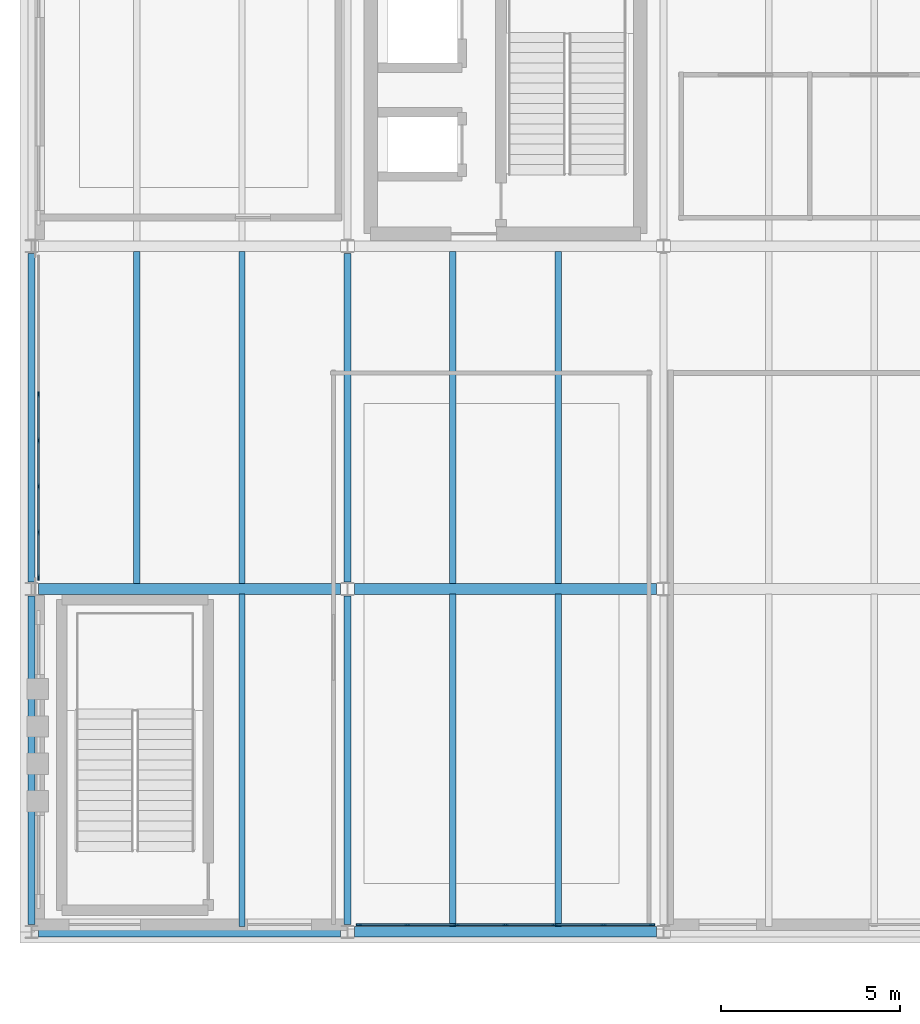
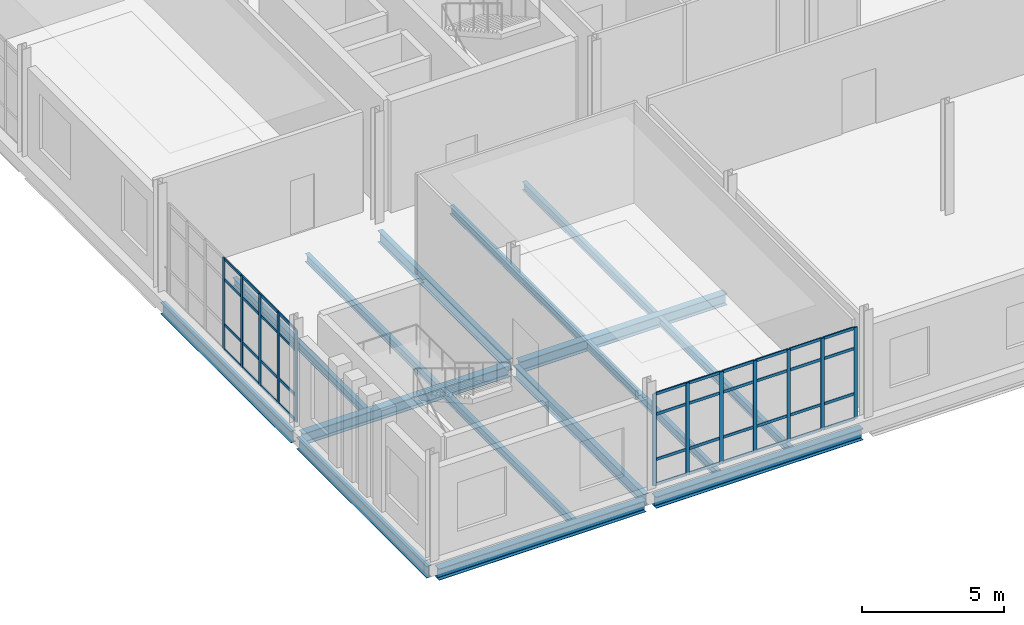
# One storey, part 19 of 112: 52 members, 15 beams, 2 elements without a shape of their own.
"""IFC4 building model written with IfcOpenShell, lengths in metres."""

from ifc_helpers import new_model, si_unit, direction, frame, origin, origin_2d, place, context, subcontext, project, spatial, rectangle, i_section, extrude, material, layer, layer_set, material_profile, profile_set, type_object, element, aggregate, save


model = new_model("IFC4")

# Units and contexts
model_context = context("Model", 3, precision=1e-05, world=origin(), true_north=direction((0.0, 1.0)))
body_context = subcontext(model_context, "Body", "Model", "MODEL_VIEW")
ifc_project = project(units=[si_unit("LENGTHUNIT", "METRE"), si_unit("AREAUNIT", "SQUARE_METRE"), si_unit("VOLUMEUNIT", "CUBIC_METRE"), si_unit("PLANEANGLEUNIT", "RADIAN"), si_unit("MASSUNIT", "GRAM", prefix="KILO")], contexts=[model_context])

# Site, building, storey
site_placement = place(None, origin())
site = spatial("IfcSite", under=ifc_project, at=site_placement, CompositionType="ELEMENT")
building_placement = place(site_placement, origin())
building = spatial("IfcBuilding", under=site, at=building_placement, Name="Yeouljin Market Hall", CompositionType="ELEMENT")
storey_placement = place(building_placement, frame((0.0, 0.0, 6.0)))
storey = spatial("IfcBuildingStorey", under=building, at=storey_placement, Name="L01", CompositionType="ELEMENT", Elevation=6.0)

# Beams
ifc_material_1 = material(Name="Steel SM355", Category="steel")
ifc_material_profile_1 = material_profile(ifc_material_1, i_section(OverallWidth=0.199951171875, OverallDepth=0.5, WebThickness=0.010009765625, FlangeThickness=0.01611328125, FilletRadius=0.02001953125, at=origin_2d()), Name="H-500x200x10x16")
ifc_profile_set_1 = profile_set([ifc_material_profile_1], Name="Steel SM355")
beam_type_1 = type_object("IfcBeamType", Name="Beam_H-500x200x10x16", PredefinedType="BEAM", material=ifc_profile_set_1)
for number, where, z_axis, x_axis, name in (
    (1, (0.0, 0.199951171875, -0.514892578125), (0.0, 1.0, 0.0), (-1.0, 0.0, 0.0), "Primary beam BM-L01-Y124"),
    (2, (0.0, 9.800048828125, -0.514892578125), (0.0, 1.0, 0.0), (-1.0, 0.0, 0.0), "Primary beam BM-L01-Y125"),
    (3, (8.85009765625, 0.199951171875, -0.514892578125), (0.0, 1.0, 0.0), (-1.0, 0.0, 0.0), "Primary beam BM-L01-Y128"),
    (4, (8.85009765625, 9.800048828125, -0.514892578125), (0.0, 1.0, 0.0), (-1.0, 0.0, 0.0), "Primary beam BM-L01-Y129"),
):
    element("IfcBeam", number, at=place(storey_placement, frame(where, z_axis=z_axis, x_axis=x_axis)), inside=storey, type_object=beam_type_1, Name=name, PredefinedType="BEAM", context=body_context, shape_type="SweptSolid", body=[
        extrude(i_section(OverallWidth=0.199951171875, OverallDepth=0.5, WebThickness=0.010009765625, FlangeThickness=0.01611328125, FilletRadius=0.02001953125, at=origin_2d()), origin(), (0.0, 0.0, 1.0), 9.199951171875),
    ])

# Curtain wall, members
ifc_material_2 = material(Name="Thermally Broken Aluminium", Category="aluminium")
ifc_layer = layer(ifc_material_2, 0.14990234375)
ifc_layer_set = layer_set([ifc_layer], Name="Thermally Broken Aluminium")
curtain_wall_type = type_object("IfcCurtainWallType", Name="CW_AcademyRibbon_System", PredefinedType="USERDEFINED", material=ifc_layer_set)
curtain_wall_1_placement = place(storey_placement, origin())
curtain_wall_1 = element("IfcCurtainWall", 5, at=curtain_wall_1_placement, inside=storey, type_object=curtain_wall_type, Name="Curtain wall CW-L01-W03", ObjectType="CURTAIN WALL", PredefinedType="USERDEFINED")
ifc_material_3 = material(Name="Thermally Broken Aluminium", Category="aluminium")
ifc_material_profile_2 = material_profile(ifc_material_3, rectangle(XDim=0.048095703125, YDim=0.14990234375, at=origin_2d()), Name="CW-MULL-48x150")
ifc_profile_set_2 = profile_set([ifc_material_profile_2], Name="Thermally Broken Aluminium")
member_type_1 = type_object("IfcMemberType", Name="CWMullion_48x150", PredefinedType="MULLION", material=ifc_profile_set_2)
member_1_placement = place(storey_placement, frame((17.3759765625, 0.199951171875, 0.0), z_axis=(0.0, 0.0, 1.0), x_axis=(0.0, -1.0, 0.0)))
member_1 = element("IfcMember", 6, at=member_1_placement, type_object=member_type_1, Name="CW-05 mullion 1", PredefinedType="MULLION", context=body_context, shape_type="SweptSolid", body=[
    extrude(rectangle(XDim=0.048095703125, YDim=0.14990234375, at=origin_2d()), origin(), (0.0, 0.0, 1.0), 3.949951171875),
])
member_2_placement = place(storey_placement, frame((16.02490234375, 0.199951171875, 0.0), z_axis=(0.0, 0.0, 1.0), x_axis=(0.0, -1.0, 0.0)))
member_2 = element("IfcMember", 7, at=member_2_placement, type_object=member_type_1, Name="CW-05 mullion 2", PredefinedType="MULLION", context=body_context, shape_type="SweptSolid", body=[
    extrude(rectangle(XDim=0.048095703125, YDim=0.14990234375, at=origin_2d()), origin(), (0.0, 0.0, 1.0), 3.949951171875),
])
member_3_placement = place(storey_placement, frame((14.64990234375, 0.199951171875, 0.0), z_axis=(0.0, 0.0, 1.0), x_axis=(0.0, -1.0, 0.0)))
member_3 = element("IfcMember", 8, at=member_3_placement, type_object=member_type_1, Name="CW-05 mullion 3", PredefinedType="MULLION", context=body_context, shape_type="SweptSolid", body=[
    extrude(rectangle(XDim=0.048095703125, YDim=0.14990234375, at=origin_2d()), origin(), (0.0, 0.0, 1.0), 3.949951171875),
])
member_4_placement = place(storey_placement, frame((13.27490234375, 0.199951171875, 0.0), z_axis=(0.0, 0.0, 1.0), x_axis=(0.0, -1.0, 0.0)))
member_4 = element("IfcMember", 9, at=member_4_placement, type_object=member_type_1, Name="CW-05 mullion 4", PredefinedType="MULLION", context=body_context, shape_type="SweptSolid", body=[
    extrude(rectangle(XDim=0.048095703125, YDim=0.14990234375, at=origin_2d()), origin(), (0.0, 0.0, 1.0), 3.949951171875),
])
member_5_placement = place(storey_placement, frame((11.89990234375, 0.199951171875, 0.0), z_axis=(0.0, 0.0, 1.0), x_axis=(0.0, -1.0, 0.0)))
member_5 = element("IfcMember", 10, at=member_5_placement, type_object=member_type_1, Name="CW-05 mullion 5", PredefinedType="MULLION", context=body_context, shape_type="SweptSolid", body=[
    extrude(rectangle(XDim=0.048095703125, YDim=0.14990234375, at=origin_2d()), origin(), (0.0, 0.0, 1.0), 3.949951171875),
])
member_6_placement = place(storey_placement, frame((10.52490234375, 0.199951171875, 0.0), z_axis=(0.0, 0.0, 1.0), x_axis=(0.0, -1.0, 0.0)))
member_6 = element("IfcMember", 11, at=member_6_placement, type_object=member_type_1, Name="CW-05 mullion 6", PredefinedType="MULLION", context=body_context, shape_type="SweptSolid", body=[
    extrude(rectangle(XDim=0.048095703125, YDim=0.14990234375, at=origin_2d()), origin(), (0.0, 0.0, 1.0), 3.949951171875),
])
member_7_placement = place(storey_placement, frame((9.174072265625, 0.199951171875, 0.0), z_axis=(0.0, 0.0, 1.0), x_axis=(0.0, -1.0, 0.0)))
member_7 = element("IfcMember", 12, at=member_7_placement, type_object=member_type_1, Name="CW-05 mullion 7", PredefinedType="MULLION", context=body_context, shape_type="SweptSolid", body=[
    extrude(rectangle(XDim=0.048095703125, YDim=0.14990234375, at=origin_2d()), origin(), (0.0, 0.0, 1.0), 3.949951171875),
])

curtain_wall_2_placement = place(storey_placement, origin())
curtain_wall_2 = element("IfcCurtainWall", 13, at=curtain_wall_2_placement, inside=storey, type_object=curtain_wall_type, Name="Curtain wall CW-L01-W06", ObjectType="CURTAIN WALL", PredefinedType="USERDEFINED")
member_8_placement = place(storey_placement, frame((0.199951171875, 9.924072265625, 0.0), z_axis=(0.0, 0.0, 1.0), x_axis=(-1.0, 0.0, 0.0)))
member_8 = element("IfcMember", 14, at=member_8_placement, type_object=member_type_1, Name="CW-05 mullion 1", PredefinedType="MULLION", context=body_context, shape_type="SweptSolid", body=[
    extrude(rectangle(XDim=0.048095703125, YDim=0.14990234375, at=origin_2d()), origin(), (0.0, 0.0, 1.0), 3.949951171875),
])
member_9_placement = place(storey_placement, frame((0.199951171875, 11.185791015625, 0.0), z_axis=(0.0, 0.0, 1.0), x_axis=(-1.0, 0.0, 0.0)))
member_9 = element("IfcMember", 15, at=member_9_placement, type_object=member_type_1, Name="CW-05 mullion 2", PredefinedType="MULLION", context=body_context, shape_type="SweptSolid", body=[
    extrude(rectangle(XDim=0.048095703125, YDim=0.14990234375, at=origin_2d()), origin(), (0.0, 0.0, 1.0), 3.949951171875),
])
member_10_placement = place(storey_placement, frame((0.199951171875, 12.471435546875, 0.0), z_axis=(0.0, 0.0, 1.0), x_axis=(-1.0, 0.0, 0.0)))
member_10 = element("IfcMember", 16, at=member_10_placement, type_object=member_type_1, Name="CW-05 mullion 3", PredefinedType="MULLION", context=body_context, shape_type="SweptSolid", body=[
    extrude(rectangle(XDim=0.048095703125, YDim=0.14990234375, at=origin_2d()), origin(), (0.0, 0.0, 1.0), 3.949951171875),
])
member_11_placement = place(storey_placement, frame((0.199951171875, 13.757080078125, 0.0), z_axis=(0.0, 0.0, 1.0), x_axis=(-1.0, 0.0, 0.0)))
member_11 = element("IfcMember", 17, at=member_11_placement, type_object=member_type_1, Name="CW-05 mullion 4", PredefinedType="MULLION", context=body_context, shape_type="SweptSolid", body=[
    extrude(rectangle(XDim=0.048095703125, YDim=0.14990234375, at=origin_2d()), origin(), (0.0, 0.0, 1.0), 3.949951171875),
])
member_12_placement = place(storey_placement, frame((0.199951171875, 15.04296875, 0.0), z_axis=(0.0, 0.0, 1.0), x_axis=(-1.0, 0.0, 0.0)))
member_12 = element("IfcMember", 18, at=member_12_placement, type_object=member_type_1, Name="CW-05 mullion 5", PredefinedType="MULLION", context=body_context, shape_type="SweptSolid", body=[
    extrude(rectangle(XDim=0.048095703125, YDim=0.14990234375, at=origin_2d()), origin(), (0.0, 0.0, 1.0), 3.949951171875),
])

# Member
ifc_material_4 = material(Name="Thermally Broken Aluminium", Category="aluminium")
ifc_material_profile_3 = material_profile(ifc_material_4, rectangle(XDim=0.048095703125, YDim=0.1201171875, at=origin_2d()), Name="CW-TRAN-48x120")
ifc_profile_set_3 = profile_set([ifc_material_profile_3], Name="Thermally Broken Aluminium")
member_type_2 = type_object("IfcMemberType", Name="CWTransom_48x120", PredefinedType="USERDEFINED", material=ifc_profile_set_3)
member_13_placement = place(storey_placement, frame((17.35205078125, 0.199951171875, 0.02392578125), z_axis=(-1.0, 0.0, 0.0), x_axis=(0.0, -1.0, 0.0)))
member_13 = element("IfcMember", 19, at=member_13_placement, type_object=member_type_2, Name="CW-05 transom 1.1", ObjectType="TRANSOM", PredefinedType="USERDEFINED", context=body_context, shape_type="SweptSolid", body=[
    extrude(rectangle(XDim=0.048095703125, YDim=0.1201171875, at=origin_2d()), origin(), (0.0, 0.0, 1.0), 1.302978515625),
])

member_14_placement = place(storey_placement, frame((17.35205078125, 0.199951171875, 1.10009765625), z_axis=(-1.0, 0.0, 0.0), x_axis=(0.0, -1.0, 0.0)))
member_14 = element("IfcMember", 20, at=member_14_placement, type_object=member_type_2, Name="CW-05 transom 1.2", ObjectType="TRANSOM", PredefinedType="USERDEFINED", context=body_context, shape_type="SweptSolid", body=[
    extrude(rectangle(XDim=0.048095703125, YDim=0.1201171875, at=origin_2d()), origin(), (0.0, 0.0, 1.0), 1.302978515625),
])

member_15_placement = place(storey_placement, frame((17.35205078125, 0.199951171875, 3.050048828125), z_axis=(-1.0, 0.0, 0.0), x_axis=(0.0, -1.0, 0.0)))
member_15 = element("IfcMember", 21, at=member_15_placement, type_object=member_type_2, Name="CW-05 transom 1.3", ObjectType="TRANSOM", PredefinedType="USERDEFINED", context=body_context, shape_type="SweptSolid", body=[
    extrude(rectangle(XDim=0.048095703125, YDim=0.1201171875, at=origin_2d()), origin(), (0.0, 0.0, 1.0), 1.302978515625),
])

member_16_placement = place(storey_placement, frame((17.35205078125, 0.199951171875, 3.926025390625), z_axis=(-1.0, 0.0, 0.0), x_axis=(0.0, -1.0, 0.0)))
member_16 = element("IfcMember", 22, at=member_16_placement, type_object=member_type_2, Name="CW-05 transom 1.4", ObjectType="TRANSOM", PredefinedType="USERDEFINED", context=body_context, shape_type="SweptSolid", body=[
    extrude(rectangle(XDim=0.048095703125, YDim=0.1201171875, at=origin_2d()), origin(), (0.0, 0.0, 1.0), 1.302978515625),
])

member_17_placement = place(storey_placement, frame((16.0009765625, 0.199951171875, 0.02392578125), z_axis=(-1.0, 0.0, 0.0), x_axis=(0.0, -1.0, 0.0)))
member_17 = element("IfcMember", 23, at=member_17_placement, type_object=member_type_2, Name="CW-05 transom 2.1", ObjectType="TRANSOM", PredefinedType="USERDEFINED", context=body_context, shape_type="SweptSolid", body=[
    extrude(rectangle(XDim=0.048095703125, YDim=0.1201171875, at=origin_2d()), origin(), (0.0, 0.0, 1.0), 1.326904296875),
])

member_18_placement = place(storey_placement, frame((16.0009765625, 0.199951171875, 1.10009765625), z_axis=(-1.0, 0.0, 0.0), x_axis=(0.0, -1.0, 0.0)))
member_18 = element("IfcMember", 24, at=member_18_placement, type_object=member_type_2, Name="CW-05 transom 2.2", ObjectType="TRANSOM", PredefinedType="USERDEFINED", context=body_context, shape_type="SweptSolid", body=[
    extrude(rectangle(XDim=0.048095703125, YDim=0.1201171875, at=origin_2d()), origin(), (0.0, 0.0, 1.0), 1.326904296875),
])

member_19_placement = place(storey_placement, frame((16.0009765625, 0.199951171875, 3.050048828125), z_axis=(-1.0, 0.0, 0.0), x_axis=(0.0, -1.0, 0.0)))
member_19 = element("IfcMember", 25, at=member_19_placement, type_object=member_type_2, Name="CW-05 transom 2.3", ObjectType="TRANSOM", PredefinedType="USERDEFINED", context=body_context, shape_type="SweptSolid", body=[
    extrude(rectangle(XDim=0.048095703125, YDim=0.1201171875, at=origin_2d()), origin(), (0.0, 0.0, 1.0), 1.326904296875),
])

member_20_placement = place(storey_placement, frame((16.0009765625, 0.199951171875, 3.926025390625), z_axis=(-1.0, 0.0, 0.0), x_axis=(0.0, -1.0, 0.0)))
member_20 = element("IfcMember", 26, at=member_20_placement, type_object=member_type_2, Name="CW-05 transom 2.4", ObjectType="TRANSOM", PredefinedType="USERDEFINED", context=body_context, shape_type="SweptSolid", body=[
    extrude(rectangle(XDim=0.048095703125, YDim=0.1201171875, at=origin_2d()), origin(), (0.0, 0.0, 1.0), 1.326904296875),
])

member_21_placement = place(storey_placement, frame((14.6259765625, 0.199951171875, 0.02392578125), z_axis=(-1.0, 0.0, 0.0), x_axis=(0.0, -1.0, 0.0)))
member_21 = element("IfcMember", 27, at=member_21_placement, type_object=member_type_2, Name="CW-05 transom 3.1", ObjectType="TRANSOM", PredefinedType="USERDEFINED", context=body_context, shape_type="SweptSolid", body=[
    extrude(rectangle(XDim=0.048095703125, YDim=0.1201171875, at=origin_2d()), origin(), (0.0, 0.0, 1.0), 1.326904296875),
])

member_22_placement = place(storey_placement, frame((14.6259765625, 0.199951171875, 1.10009765625), z_axis=(-1.0, 0.0, 0.0), x_axis=(0.0, -1.0, 0.0)))
member_22 = element("IfcMember", 28, at=member_22_placement, type_object=member_type_2, Name="CW-05 transom 3.2", ObjectType="TRANSOM", PredefinedType="USERDEFINED", context=body_context, shape_type="SweptSolid", body=[
    extrude(rectangle(XDim=0.048095703125, YDim=0.1201171875, at=origin_2d()), origin(), (0.0, 0.0, 1.0), 1.326904296875),
])

member_23_placement = place(storey_placement, frame((14.6259765625, 0.199951171875, 3.050048828125), z_axis=(-1.0, 0.0, 0.0), x_axis=(0.0, -1.0, 0.0)))
member_23 = element("IfcMember", 29, at=member_23_placement, type_object=member_type_2, Name="CW-05 transom 3.3", ObjectType="TRANSOM", PredefinedType="USERDEFINED", context=body_context, shape_type="SweptSolid", body=[
    extrude(rectangle(XDim=0.048095703125, YDim=0.1201171875, at=origin_2d()), origin(), (0.0, 0.0, 1.0), 1.326904296875),
])

member_24_placement = place(storey_placement, frame((14.6259765625, 0.199951171875, 3.926025390625), z_axis=(-1.0, 0.0, 0.0), x_axis=(0.0, -1.0, 0.0)))
member_24 = element("IfcMember", 30, at=member_24_placement, type_object=member_type_2, Name="CW-05 transom 3.4", ObjectType="TRANSOM", PredefinedType="USERDEFINED", context=body_context, shape_type="SweptSolid", body=[
    extrude(rectangle(XDim=0.048095703125, YDim=0.1201171875, at=origin_2d()), origin(), (0.0, 0.0, 1.0), 1.326904296875),
])

member_25_placement = place(storey_placement, frame((13.2509765625, 0.199951171875, 0.02392578125), z_axis=(-1.0, 0.0, 0.0), x_axis=(0.0, -1.0, 0.0)))
member_25 = element("IfcMember", 31, at=member_25_placement, type_object=member_type_2, Name="CW-05 transom 4.1", ObjectType="TRANSOM", PredefinedType="USERDEFINED", context=body_context, shape_type="SweptSolid", body=[
    extrude(rectangle(XDim=0.048095703125, YDim=0.1201171875, at=origin_2d()), origin(), (0.0, 0.0, 1.0), 1.326904296875),
])

member_26_placement = place(storey_placement, frame((13.2509765625, 0.199951171875, 1.10009765625), z_axis=(-1.0, 0.0, 0.0), x_axis=(0.0, -1.0, 0.0)))
member_26 = element("IfcMember", 32, at=member_26_placement, type_object=member_type_2, Name="CW-05 transom 4.2", ObjectType="TRANSOM", PredefinedType="USERDEFINED", context=body_context, shape_type="SweptSolid", body=[
    extrude(rectangle(XDim=0.048095703125, YDim=0.1201171875, at=origin_2d()), origin(), (0.0, 0.0, 1.0), 1.326904296875),
])

member_27_placement = place(storey_placement, frame((13.2509765625, 0.199951171875, 3.050048828125), z_axis=(-1.0, 0.0, 0.0), x_axis=(0.0, -1.0, 0.0)))
member_27 = element("IfcMember", 33, at=member_27_placement, type_object=member_type_2, Name="CW-05 transom 4.3", ObjectType="TRANSOM", PredefinedType="USERDEFINED", context=body_context, shape_type="SweptSolid", body=[
    extrude(rectangle(XDim=0.048095703125, YDim=0.1201171875, at=origin_2d()), origin(), (0.0, 0.0, 1.0), 1.326904296875),
])

member_28_placement = place(storey_placement, frame((13.2509765625, 0.199951171875, 3.926025390625), z_axis=(-1.0, 0.0, 0.0), x_axis=(0.0, -1.0, 0.0)))
member_28 = element("IfcMember", 34, at=member_28_placement, type_object=member_type_2, Name="CW-05 transom 4.4", ObjectType="TRANSOM", PredefinedType="USERDEFINED", context=body_context, shape_type="SweptSolid", body=[
    extrude(rectangle(XDim=0.048095703125, YDim=0.1201171875, at=origin_2d()), origin(), (0.0, 0.0, 1.0), 1.326904296875),
])

member_29_placement = place(storey_placement, frame((11.8759765625, 0.199951171875, 0.02392578125), z_axis=(-1.0, 0.0, 0.0), x_axis=(0.0, -1.0, 0.0)))
member_29 = element("IfcMember", 35, at=member_29_placement, type_object=member_type_2, Name="CW-05 transom 5.1", ObjectType="TRANSOM", PredefinedType="USERDEFINED", context=body_context, shape_type="SweptSolid", body=[
    extrude(rectangle(XDim=0.048095703125, YDim=0.1201171875, at=origin_2d()), origin(), (0.0, 0.0, 1.0), 1.326904296875),
])

member_30_placement = place(storey_placement, frame((11.8759765625, 0.199951171875, 1.10009765625), z_axis=(-1.0, 0.0, 0.0), x_axis=(0.0, -1.0, 0.0)))
member_30 = element("IfcMember", 36, at=member_30_placement, type_object=member_type_2, Name="CW-05 transom 5.2", ObjectType="TRANSOM", PredefinedType="USERDEFINED", context=body_context, shape_type="SweptSolid", body=[
    extrude(rectangle(XDim=0.048095703125, YDim=0.1201171875, at=origin_2d()), origin(), (0.0, 0.0, 1.0), 1.326904296875),
])

member_31_placement = place(storey_placement, frame((11.8759765625, 0.199951171875, 3.050048828125), z_axis=(-1.0, 0.0, 0.0), x_axis=(0.0, -1.0, 0.0)))
member_31 = element("IfcMember", 37, at=member_31_placement, type_object=member_type_2, Name="CW-05 transom 5.3", ObjectType="TRANSOM", PredefinedType="USERDEFINED", context=body_context, shape_type="SweptSolid", body=[
    extrude(rectangle(XDim=0.048095703125, YDim=0.1201171875, at=origin_2d()), origin(), (0.0, 0.0, 1.0), 1.326904296875),
])

member_32_placement = place(storey_placement, frame((11.8759765625, 0.199951171875, 3.926025390625), z_axis=(-1.0, 0.0, 0.0), x_axis=(0.0, -1.0, 0.0)))
member_32 = element("IfcMember", 38, at=member_32_placement, type_object=member_type_2, Name="CW-05 transom 5.4", ObjectType="TRANSOM", PredefinedType="USERDEFINED", context=body_context, shape_type="SweptSolid", body=[
    extrude(rectangle(XDim=0.048095703125, YDim=0.1201171875, at=origin_2d()), origin(), (0.0, 0.0, 1.0), 1.326904296875),
])

member_33_placement = place(storey_placement, frame((10.5009765625, 0.199951171875, 0.02392578125), z_axis=(-1.0, 0.0, 0.0), x_axis=(0.0, -1.0, 0.0)))
member_33 = element("IfcMember", 39, at=member_33_placement, type_object=member_type_2, Name="CW-05 transom 6.1", ObjectType="TRANSOM", PredefinedType="USERDEFINED", context=body_context, shape_type="SweptSolid", body=[
    extrude(rectangle(XDim=0.048095703125, YDim=0.1201171875, at=origin_2d()), origin(), (0.0, 0.0, 1.0), 1.302978515625),
])

member_34_placement = place(storey_placement, frame((10.5009765625, 0.199951171875, 1.10009765625), z_axis=(-1.0, 0.0, 0.0), x_axis=(0.0, -1.0, 0.0)))
member_34 = element("IfcMember", 40, at=member_34_placement, type_object=member_type_2, Name="CW-05 transom 6.2", ObjectType="TRANSOM", PredefinedType="USERDEFINED", context=body_context, shape_type="SweptSolid", body=[
    extrude(rectangle(XDim=0.048095703125, YDim=0.1201171875, at=origin_2d()), origin(), (0.0, 0.0, 1.0), 1.302978515625),
])

member_35_placement = place(storey_placement, frame((10.5009765625, 0.199951171875, 3.050048828125), z_axis=(-1.0, 0.0, 0.0), x_axis=(0.0, -1.0, 0.0)))
member_35 = element("IfcMember", 41, at=member_35_placement, type_object=member_type_2, Name="CW-05 transom 6.3", ObjectType="TRANSOM", PredefinedType="USERDEFINED", context=body_context, shape_type="SweptSolid", body=[
    extrude(rectangle(XDim=0.048095703125, YDim=0.1201171875, at=origin_2d()), origin(), (0.0, 0.0, 1.0), 1.302978515625),
])

member_36_placement = place(storey_placement, frame((10.5009765625, 0.199951171875, 3.926025390625), z_axis=(-1.0, 0.0, 0.0), x_axis=(0.0, -1.0, 0.0)))
member_36 = element("IfcMember", 42, at=member_36_placement, type_object=member_type_2, Name="CW-05 transom 6.4", ObjectType="TRANSOM", PredefinedType="USERDEFINED", context=body_context, shape_type="SweptSolid", body=[
    extrude(rectangle(XDim=0.048095703125, YDim=0.1201171875, at=origin_2d()), origin(), (0.0, 0.0, 1.0), 1.302978515625),
])

aggregate(curtain_wall_1, [member_1, member_2, member_3, member_4, member_5, member_6, member_7, member_13, member_14, member_15, member_16, member_17, member_18, member_19, member_20, member_21, member_22, member_23, member_24, member_25, member_26, member_27, member_28, member_29, member_30, member_31, member_32, member_33, member_34, member_35, member_36])

member_37_placement = place(storey_placement, frame((0.199951171875, 9.947998046875, 0.02392578125), z_axis=(0.0, 1.0, 0.0), x_axis=(-1.0, 0.0, 0.0)))
member_37 = element("IfcMember", 43, at=member_37_placement, type_object=member_type_2, Name="CW-05 transom 1.1", ObjectType="TRANSOM", PredefinedType="USERDEFINED", context=body_context, shape_type="SweptSolid", body=[
    extrude(rectangle(XDim=0.048095703125, YDim=0.1201171875, at=origin_2d()), origin(), (0.0, 0.0, 1.0), 1.213623046875),
])

member_38_placement = place(storey_placement, frame((0.199951171875, 9.947998046875, 1.10009765625), z_axis=(0.0, 1.0, 0.0), x_axis=(-1.0, 0.0, 0.0)))
member_38 = element("IfcMember", 44, at=member_38_placement, type_object=member_type_2, Name="CW-05 transom 1.2", ObjectType="TRANSOM", PredefinedType="USERDEFINED", context=body_context, shape_type="SweptSolid", body=[
    extrude(rectangle(XDim=0.048095703125, YDim=0.1201171875, at=origin_2d()), origin(), (0.0, 0.0, 1.0), 1.213623046875),
])

member_39_placement = place(storey_placement, frame((0.199951171875, 9.947998046875, 3.050048828125), z_axis=(0.0, 1.0, 0.0), x_axis=(-1.0, 0.0, 0.0)))
member_39 = element("IfcMember", 45, at=member_39_placement, type_object=member_type_2, Name="CW-05 transom 1.3", ObjectType="TRANSOM", PredefinedType="USERDEFINED", context=body_context, shape_type="SweptSolid", body=[
    extrude(rectangle(XDim=0.048095703125, YDim=0.1201171875, at=origin_2d()), origin(), (0.0, 0.0, 1.0), 1.213623046875),
])

member_40_placement = place(storey_placement, frame((0.199951171875, 9.947998046875, 3.926025390625), z_axis=(0.0, 1.0, 0.0), x_axis=(-1.0, 0.0, 0.0)))
member_40 = element("IfcMember", 46, at=member_40_placement, type_object=member_type_2, Name="CW-05 transom 1.4", ObjectType="TRANSOM", PredefinedType="USERDEFINED", context=body_context, shape_type="SweptSolid", body=[
    extrude(rectangle(XDim=0.048095703125, YDim=0.1201171875, at=origin_2d()), origin(), (0.0, 0.0, 1.0), 1.213623046875),
])

member_41_placement = place(storey_placement, frame((0.199951171875, 11.209716796875, 0.02392578125), z_axis=(0.0, 1.0, 0.0), x_axis=(-1.0, 0.0, 0.0)))
member_41 = element("IfcMember", 47, at=member_41_placement, type_object=member_type_2, Name="CW-05 transom 2.1", ObjectType="TRANSOM", PredefinedType="USERDEFINED", context=body_context, shape_type="SweptSolid", body=[
    extrude(rectangle(XDim=0.048095703125, YDim=0.1201171875, at=origin_2d()), origin(), (0.0, 0.0, 1.0), 1.23779296875),
])

member_42_placement = place(storey_placement, frame((0.199951171875, 11.209716796875, 1.10009765625), z_axis=(0.0, 1.0, 0.0), x_axis=(-1.0, 0.0, 0.0)))
member_42 = element("IfcMember", 48, at=member_42_placement, type_object=member_type_2, Name="CW-05 transom 2.2", ObjectType="TRANSOM", PredefinedType="USERDEFINED", context=body_context, shape_type="SweptSolid", body=[
    extrude(rectangle(XDim=0.048095703125, YDim=0.1201171875, at=origin_2d()), origin(), (0.0, 0.0, 1.0), 1.23779296875),
])

member_43_placement = place(storey_placement, frame((0.199951171875, 11.209716796875, 3.050048828125), z_axis=(0.0, 1.0, 0.0), x_axis=(-1.0, 0.0, 0.0)))
member_43 = element("IfcMember", 49, at=member_43_placement, type_object=member_type_2, Name="CW-05 transom 2.3", ObjectType="TRANSOM", PredefinedType="USERDEFINED", context=body_context, shape_type="SweptSolid", body=[
    extrude(rectangle(XDim=0.048095703125, YDim=0.1201171875, at=origin_2d()), origin(), (0.0, 0.0, 1.0), 1.23779296875),
])

member_44_placement = place(storey_placement, frame((0.199951171875, 11.209716796875, 3.926025390625), z_axis=(0.0, 1.0, 0.0), x_axis=(-1.0, 0.0, 0.0)))
member_44 = element("IfcMember", 50, at=member_44_placement, type_object=member_type_2, Name="CW-05 transom 2.4", ObjectType="TRANSOM", PredefinedType="USERDEFINED", context=body_context, shape_type="SweptSolid", body=[
    extrude(rectangle(XDim=0.048095703125, YDim=0.1201171875, at=origin_2d()), origin(), (0.0, 0.0, 1.0), 1.23779296875),
])

member_45_placement = place(storey_placement, frame((0.199951171875, 12.495361328125, 0.02392578125), z_axis=(0.0, 1.0, 0.0), x_axis=(-1.0, 0.0, 0.0)))
member_45 = element("IfcMember", 51, at=member_45_placement, type_object=member_type_2, Name="CW-05 transom 3.1", ObjectType="TRANSOM", PredefinedType="USERDEFINED", context=body_context, shape_type="SweptSolid", body=[
    extrude(rectangle(XDim=0.048095703125, YDim=0.1201171875, at=origin_2d()), origin(), (0.0, 0.0, 1.0), 1.23779296875),
])

member_46_placement = place(storey_placement, frame((0.199951171875, 12.495361328125, 1.10009765625), z_axis=(0.0, 1.0, 0.0), x_axis=(-1.0, 0.0, 0.0)))
member_46 = element("IfcMember", 52, at=member_46_placement, type_object=member_type_2, Name="CW-05 transom 3.2", ObjectType="TRANSOM", PredefinedType="USERDEFINED", context=body_context, shape_type="SweptSolid", body=[
    extrude(rectangle(XDim=0.048095703125, YDim=0.1201171875, at=origin_2d()), origin(), (0.0, 0.0, 1.0), 1.23779296875),
])

member_47_placement = place(storey_placement, frame((0.199951171875, 12.495361328125, 3.050048828125), z_axis=(0.0, 1.0, 0.0), x_axis=(-1.0, 0.0, 0.0)))
member_47 = element("IfcMember", 53, at=member_47_placement, type_object=member_type_2, Name="CW-05 transom 3.3", ObjectType="TRANSOM", PredefinedType="USERDEFINED", context=body_context, shape_type="SweptSolid", body=[
    extrude(rectangle(XDim=0.048095703125, YDim=0.1201171875, at=origin_2d()), origin(), (0.0, 0.0, 1.0), 1.23779296875),
])

member_48_placement = place(storey_placement, frame((0.199951171875, 12.495361328125, 3.926025390625), z_axis=(0.0, 1.0, 0.0), x_axis=(-1.0, 0.0, 0.0)))
member_48 = element("IfcMember", 54, at=member_48_placement, type_object=member_type_2, Name="CW-05 transom 3.4", ObjectType="TRANSOM", PredefinedType="USERDEFINED", context=body_context, shape_type="SweptSolid", body=[
    extrude(rectangle(XDim=0.048095703125, YDim=0.1201171875, at=origin_2d()), origin(), (0.0, 0.0, 1.0), 1.23779296875),
])

member_49_placement = place(storey_placement, frame((0.199951171875, 13.78125, 0.02392578125), z_axis=(0.0, 1.0, 0.0), x_axis=(-1.0, 0.0, 0.0)))
member_49 = element("IfcMember", 55, at=member_49_placement, type_object=member_type_2, Name="CW-05 transom 4.1", ObjectType="TRANSOM", PredefinedType="USERDEFINED", context=body_context, shape_type="SweptSolid", body=[
    extrude(rectangle(XDim=0.048095703125, YDim=0.1201171875, at=origin_2d()), origin(), (0.0, 0.0, 1.0), 1.237548828125),
])

member_50_placement = place(storey_placement, frame((0.199951171875, 13.78125, 1.10009765625), z_axis=(0.0, 1.0, 0.0), x_axis=(-1.0, 0.0, 0.0)))
member_50 = element("IfcMember", 56, at=member_50_placement, type_object=member_type_2, Name="CW-05 transom 4.2", ObjectType="TRANSOM", PredefinedType="USERDEFINED", context=body_context, shape_type="SweptSolid", body=[
    extrude(rectangle(XDim=0.048095703125, YDim=0.1201171875, at=origin_2d()), origin(), (0.0, 0.0, 1.0), 1.237548828125),
])

member_51_placement = place(storey_placement, frame((0.199951171875, 13.78125, 3.050048828125), z_axis=(0.0, 1.0, 0.0), x_axis=(-1.0, 0.0, 0.0)))
member_51 = element("IfcMember", 57, at=member_51_placement, type_object=member_type_2, Name="CW-05 transom 4.3", ObjectType="TRANSOM", PredefinedType="USERDEFINED", context=body_context, shape_type="SweptSolid", body=[
    extrude(rectangle(XDim=0.048095703125, YDim=0.1201171875, at=origin_2d()), origin(), (0.0, 0.0, 1.0), 1.237548828125),
])

member_52_placement = place(storey_placement, frame((0.199951171875, 13.78125, 3.926025390625), z_axis=(0.0, 1.0, 0.0), x_axis=(-1.0, 0.0, 0.0)))
member_52 = element("IfcMember", 58, at=member_52_placement, type_object=member_type_2, Name="CW-05 transom 4.4", ObjectType="TRANSOM", PredefinedType="USERDEFINED", context=body_context, shape_type="SweptSolid", body=[
    extrude(rectangle(XDim=0.048095703125, YDim=0.1201171875, at=origin_2d()), origin(), (0.0, 0.0, 1.0), 1.237548828125),
])

aggregate(curtain_wall_2, [member_8, member_9, member_10, member_11, member_12, member_37, member_38, member_39, member_40, member_41, member_42, member_43, member_44, member_45, member_46, member_47, member_48, member_49, member_50, member_51, member_52])

# Beams
ifc_material_5 = material(Name="Steel SM355", Category="steel")
ifc_material_profile_4 = material_profile(ifc_material_5, i_section(OverallWidth=0.300048828125, OverallDepth=0.488037109375, WebThickness=0.010986328125, FlangeThickness=0.01806640625, FilletRadius=0.02197265625, at=origin_2d()), Name="H-488x300x11x18")
ifc_profile_set_4 = profile_set([ifc_material_profile_4], Name="Steel SM355")
beam_type_2 = type_object("IfcBeamType", Name="Girder_H-488x300x11x18", PredefinedType="USERDEFINED", material=ifc_profile_set_4)
for number, where, z_axis, x_axis, name in (
    (59, (0.199951171875, 0.0, -0.509033203125), (1.0, 0.0, 0.0), (0.0, 1.0, 0.0), "Primary girder GRD-L01-X001"),
    (60, (9.050048828125, 0.0, -0.509033203125), (1.0, 0.0, 0.0), (0.0, 1.0, 0.0), "Primary girder GRD-L01-X002"),
    (61, (0.199951171875, 9.60009765625, -0.509033203125), (1.0, 0.0, 0.0), (0.0, 1.0, 0.0), "Primary girder GRD-L01-X015"),
    (62, (9.050048828125, 9.60009765625, -0.509033203125), (1.0, 0.0, 0.0), (0.0, 1.0, 0.0), "Primary girder GRD-L01-X016"),
):
    element("IfcBeam", number, at=place(storey_placement, frame(where, z_axis=z_axis, x_axis=x_axis)), inside=storey, type_object=beam_type_2, Name=name, ObjectType="GIRDER", PredefinedType="USERDEFINED", context=body_context, shape_type="SweptSolid", body=[
        extrude(i_section(OverallWidth=0.300048828125, OverallDepth=0.488037109375, WebThickness=0.010986328125, FlangeThickness=0.01806640625, FilletRadius=0.02197265625, at=origin_2d()), origin(), (0.0, 0.0, 1.0), 8.449951171875),
    ])
ifc_material_6 = material(Name="Steel SM355", Category="steel")
ifc_material_profile_5 = material_profile(ifc_material_6, i_section(OverallWidth=0.175048828125, OverallDepth=0.35009765625, WebThickness=0.007080078125, FlangeThickness=0.010986328125, FilletRadius=0.013916015625, at=origin_2d()), Name="H-350x175x7x11")
ifc_profile_set_5 = profile_set([ifc_material_profile_5], Name="Steel SM355")
beam_type_3 = type_object("IfcBeamType", Name="Joist_H-350x175x7x11", PredefinedType="JOIST", material=ifc_profile_set_5)
for number, where, z_axis, x_axis, name in (
    (63, (5.89990234375, 0.14697265625, -0.43994140625), (0.0, 1.0, 0.0), (-1.0, 0.0, 0.0), "Secondary floor joist L01-001"),
    (64, (2.949951171875, 9.7470703125, -0.43994140625), (0.0, 1.0, 0.0), (-1.0, 0.0, 0.0), "Secondary floor joist L01-002"),
    (65, (5.89990234375, 9.7470703125, -0.43994140625), (0.0, 1.0, 0.0), (-1.0, 0.0, 0.0), "Secondary floor joist L01-003"),
    (66, (11.800048828125, 0.14697265625, -0.43994140625), (0.0, 1.0, 0.0), (-1.0, 0.0, 0.0), "Secondary floor joist L01-008"),
    (67, (14.75, 0.14697265625, -0.43994140625), (0.0, 1.0, 0.0), (-1.0, 0.0, 0.0), "Secondary floor joist L01-009"),
    (68, (11.800048828125, 9.7470703125, -0.43994140625), (0.0, 1.0, 0.0), (-1.0, 0.0, 0.0), "Secondary floor joist L01-010"),
    (69, (14.75, 9.7470703125, -0.43994140625), (0.0, 1.0, 0.0), (-1.0, 0.0, 0.0), "Secondary floor joist L01-011"),
):
    element("IfcBeam", number, at=place(storey_placement, frame(where, z_axis=z_axis, x_axis=x_axis)), inside=storey, type_object=beam_type_3, Name=name, PredefinedType="JOIST", context=body_context, shape_type="SweptSolid", body=[
        extrude(i_section(OverallWidth=0.175048828125, OverallDepth=0.35009765625, WebThickness=0.007080078125, FlangeThickness=0.010986328125, FilletRadius=0.013916015625, at=origin_2d()), origin(), (0.0, 0.0, 1.0), 9.305908203125),
    ])

save(model, "model.ifc")
